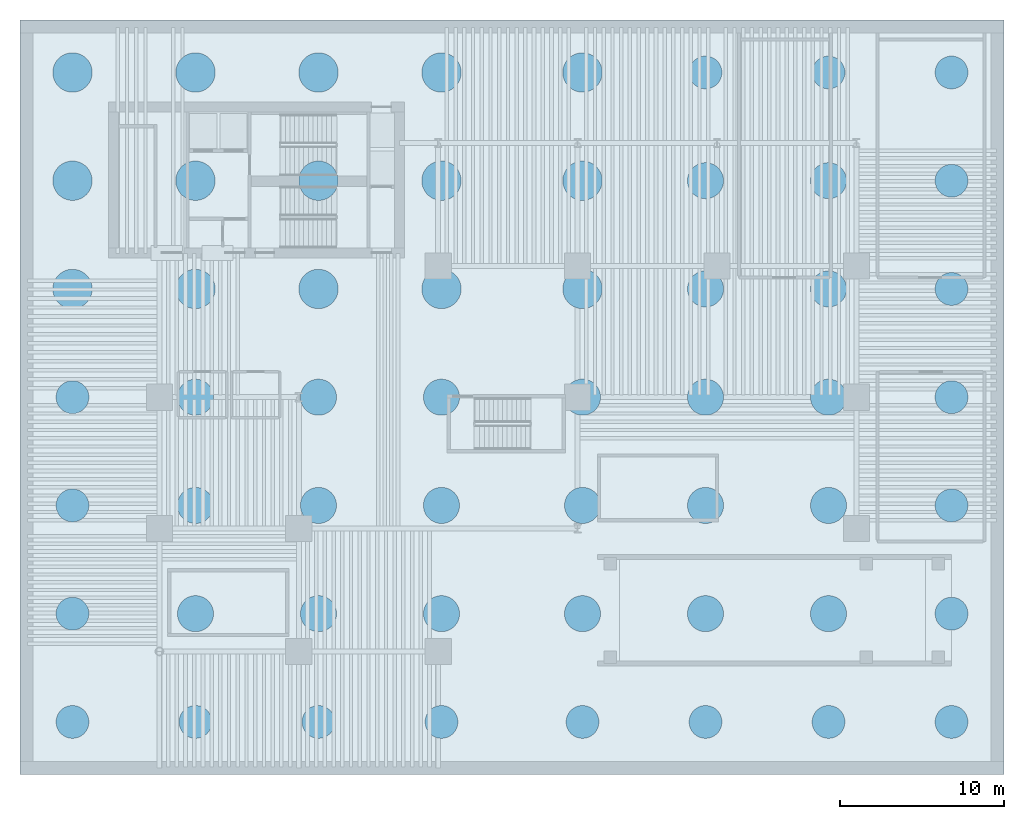
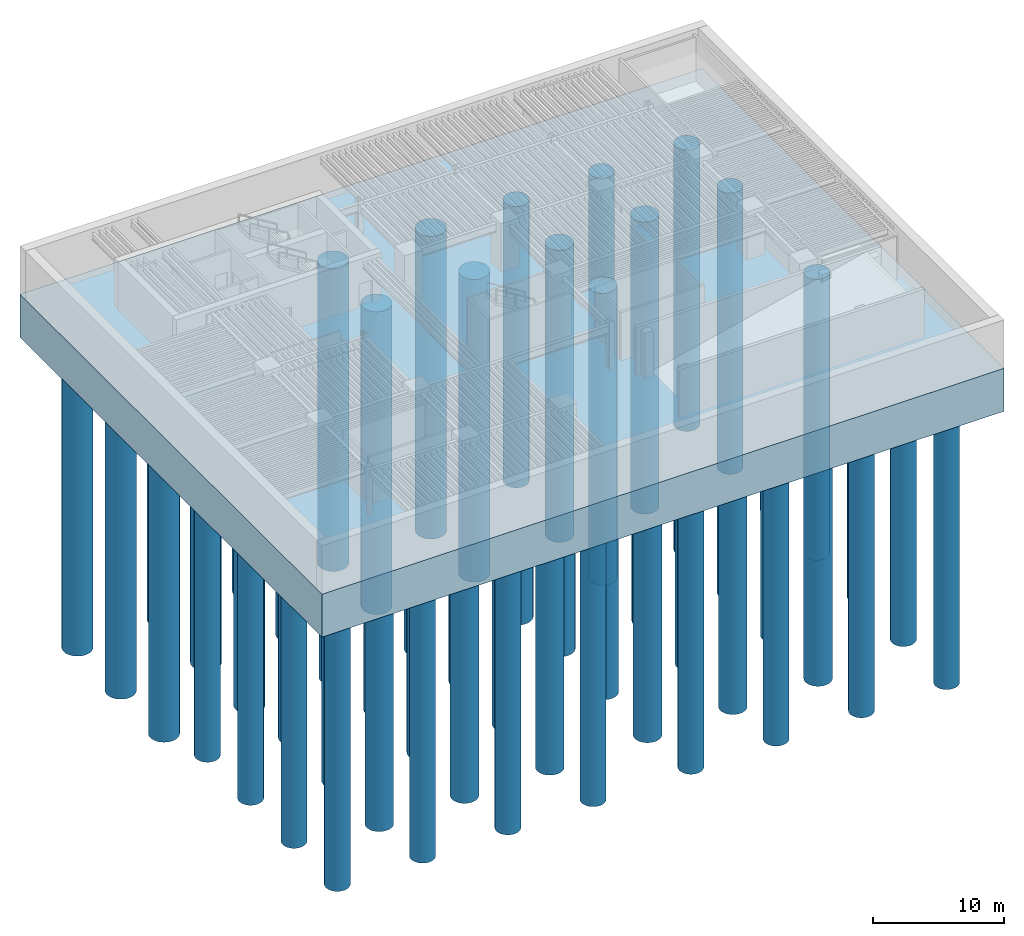
# One storey, part 1 of 11: 56 piles, 1 footing.
"""IFC4 building model written with IfcOpenShell, lengths in metres."""

from ifc_helpers import new_model, si_unit, direction, frame, origin, origin_2d, place, context, subcontext, project, spatial, polyline, circle, outline, extrude, material, layer, layer_set, material_profile, profile_set, type_object, element, save


model = new_model("IFC4")

# Units and contexts
model_context = context("Model", 3, precision=1e-05, world=origin(), true_north=direction((0.0, 1.0)))
body_context = subcontext(model_context, "Body", "Model", "MODEL_VIEW")
ifc_project = project(units=[si_unit("LENGTHUNIT", "METRE"), si_unit("AREAUNIT", "SQUARE_METRE"), si_unit("VOLUMEUNIT", "CUBIC_METRE"), si_unit("PLANEANGLEUNIT", "RADIAN"), si_unit("MASSUNIT", "GRAM", prefix="KILO")], contexts=[model_context])

# Site, building, storey
site_placement = place(None, origin())
site = spatial("IfcSite", under=ifc_project, at=site_placement, CompositionType="ELEMENT")
building_placement = place(site_placement, origin())
building = spatial("IfcBuilding", under=site, at=building_placement, Name="Caeloran Harvest Quay", CompositionType="ELEMENT")
storey_placement = place(building_placement, frame((0.0, 0.0, -18.0)))
storey = spatial("IfcBuildingStorey", under=building, at=storey_placement, Name="B04", CompositionType="ELEMENT", Elevation=-18.0)

# Piles
ifc_material = material(Name="Concrete C60/75", Category="concrete")
ifc_material_profile_1 = material_profile(ifc_material, circle(Radius=1.199951171875, at=origin_2d()), Name="PILE D2400")
ifc_profile_set_1 = profile_set([ifc_material_profile_1], Name="Concrete C60/75")
pile_type_1 = type_object("IfcPileType", Name="PILE-P1-PILED2400", PredefinedType="BORED", material=ifc_profile_set_1)
for number, where, z_axis, x_axis, name in (
    (1, (3.199951171875, 29.60009765625, -3.85009765625), (0.0, 0.0, -1.0), (1.0, 0.0, 0.0), "Rock-Socketed Bored Pile PILE-33 (PILE D2400)"),
    (2, (10.699951171875, 29.60009765625, -3.85009765625), (0.0, 0.0, -1.0), (1.0, 0.0, 0.0), "Rock-Socketed Bored Pile PILE-34 (PILE D2400)"),
    (3, (18.199951171875, 29.60009765625, -3.85009765625), (0.0, 0.0, -1.0), (1.0, 0.0, 0.0), "Rock-Socketed Bored Pile PILE-35 (PILE D2400)"),
    (4, (25.699951171875, 29.60009765625, -3.85009765625), (0.0, 0.0, -1.0), (1.0, 0.0, 0.0), "Rock-Socketed Bored Pile PILE-36 (PILE D2400)"),
    (5, (34.300048828125, 29.60009765625, -3.85009765625), (0.0, 0.0, -1.0), (1.0, 0.0, 0.0), "Rock-Socketed Bored Pile PILE-37 (PILE D2400)"),
    (6, (3.199951171875, 36.199951171875, -3.85009765625), (0.0, 0.0, -1.0), (1.0, 0.0, 0.0), "Rock-Socketed Bored Pile PILE-41 (PILE D2400)"),
    (7, (10.699951171875, 36.199951171875, -3.85009765625), (0.0, 0.0, -1.0), (1.0, 0.0, 0.0), "Rock-Socketed Bored Pile PILE-42 (PILE D2400)"),
    (8, (18.199951171875, 36.199951171875, -3.85009765625), (0.0, 0.0, -1.0), (1.0, 0.0, 0.0), "Rock-Socketed Bored Pile PILE-43 (PILE D2400)"),
    (9, (25.699951171875, 36.199951171875, -3.85009765625), (0.0, 0.0, -1.0), (1.0, 0.0, 0.0), "Rock-Socketed Bored Pile PILE-44 (PILE D2400)"),
    (10, (34.300048828125, 36.199951171875, -3.85009765625), (0.0, 0.0, -1.0), (1.0, 0.0, 0.0), "Rock-Socketed Bored Pile PILE-45 (PILE D2400)"),
    (11, (3.199951171875, 42.800048828125, -3.85009765625), (0.0, 0.0, -1.0), (1.0, 0.0, 0.0), "Rock-Socketed Bored Pile PILE-49 (PILE D2400)"),
    (12, (10.699951171875, 42.800048828125, -3.85009765625), (0.0, 0.0, -1.0), (1.0, 0.0, 0.0), "Rock-Socketed Bored Pile PILE-50 (PILE D2400)"),
    (13, (18.199951171875, 42.800048828125, -3.85009765625), (0.0, 0.0, -1.0), (1.0, 0.0, 0.0), "Rock-Socketed Bored Pile PILE-51 (PILE D2400)"),
    (14, (25.699951171875, 42.800048828125, -3.85009765625), (0.0, 0.0, -1.0), (1.0, 0.0, 0.0), "Rock-Socketed Bored Pile PILE-52 (PILE D2400)"),
    (15, (34.300048828125, 42.800048828125, -3.85009765625), (0.0, 0.0, -1.0), (1.0, 0.0, 0.0), "Rock-Socketed Bored Pile PILE-53 (PILE D2400)"),
):
    element("IfcPile", number, at=place(storey_placement, frame(where, z_axis=z_axis, x_axis=x_axis)), inside=storey, type_object=pile_type_1, Name=name, PredefinedType="BORED", context=body_context, shape_type="SweptSolid", body=[
        extrude(circle(Radius=1.199951171875, at=origin_2d()), origin(), (0.0, 0.0, 1.0), 28.14990234375),
    ])
ifc_material_profile_2 = material_profile(ifc_material, circle(Radius=1.10009765625, at=origin_2d()), Name="PILE D2200")
ifc_profile_set_2 = profile_set([ifc_material_profile_2], Name="Concrete C60/75")
pile_type_2 = type_object("IfcPileType", Name="PILE-P2-PILED2200", PredefinedType="BORED", material=ifc_profile_set_2)
for number, where, z_axis, x_axis, name in (
    (16, (10.699951171875, 9.800048828125, -3.85009765625), (0.0, 0.0, -1.0), (1.0, 0.0, 0.0), "Rock-Socketed Bored Pile PILE-10 (PILE D2200)"),
    (17, (18.199951171875, 9.800048828125, -3.85009765625), (0.0, 0.0, -1.0), (1.0, 0.0, 0.0), "Rock-Socketed Bored Pile PILE-11 (PILE D2200)"),
    (18, (25.699951171875, 9.800048828125, -3.85009765625), (0.0, 0.0, -1.0), (1.0, 0.0, 0.0), "Rock-Socketed Bored Pile PILE-12 (PILE D2200)"),
    (19, (34.300048828125, 9.800048828125, -3.85009765625), (0.0, 0.0, -1.0), (1.0, 0.0, 0.0), "Rock-Socketed Bored Pile PILE-13 (PILE D2200)"),
    (20, (41.800048828125, 9.800048828125, -3.85009765625), (0.0, 0.0, -1.0), (1.0, 0.0, 0.0), "Rock-Socketed Bored Pile PILE-14 (PILE D2200)"),
    (21, (49.300048828125, 9.800048828125, -3.85009765625), (0.0, 0.0, -1.0), (1.0, 0.0, 0.0), "Rock-Socketed Bored Pile PILE-15 (PILE D2200)"),
    (22, (10.699951171875, 16.39990234375, -3.85009765625), (0.0, 0.0, -1.0), (1.0, 0.0, 0.0), "Rock-Socketed Bored Pile PILE-18 (PILE D2200)"),
    (23, (18.199951171875, 16.39990234375, -3.85009765625), (0.0, 0.0, -1.0), (1.0, 0.0, 0.0), "Rock-Socketed Bored Pile PILE-19 (PILE D2200)"),
    (24, (25.699951171875, 16.39990234375, -3.85009765625), (0.0, 0.0, -1.0), (1.0, 0.0, 0.0), "Rock-Socketed Bored Pile PILE-20 (PILE D2200)"),
    (25, (34.300048828125, 16.39990234375, -3.85009765625), (0.0, 0.0, -1.0), (1.0, 0.0, 0.0), "Rock-Socketed Bored Pile PILE-21 (PILE D2200)"),
    (26, (41.800048828125, 16.39990234375, -3.85009765625), (0.0, 0.0, -1.0), (1.0, 0.0, 0.0), "Rock-Socketed Bored Pile PILE-22 (PILE D2200)"),
    (27, (49.300048828125, 16.39990234375, -3.85009765625), (0.0, 0.0, -1.0), (1.0, 0.0, 0.0), "Rock-Socketed Bored Pile PILE-23 (PILE D2200)"),
    (28, (10.699951171875, 23.0, -3.85009765625), (0.0, 0.0, -1.0), (1.0, 0.0, 0.0), "Rock-Socketed Bored Pile PILE-26 (PILE D2200)"),
    (29, (18.199951171875, 23.0, -3.85009765625), (0.0, 0.0, -1.0), (1.0, 0.0, 0.0), "Rock-Socketed Bored Pile PILE-27 (PILE D2200)"),
    (30, (25.699951171875, 23.0, -3.85009765625), (0.0, 0.0, -1.0), (1.0, 0.0, 0.0), "Rock-Socketed Bored Pile PILE-28 (PILE D2200)"),
    (31, (34.300048828125, 23.0, -3.85009765625), (0.0, 0.0, -1.0), (1.0, 0.0, 0.0), "Rock-Socketed Bored Pile PILE-29 (PILE D2200)"),
    (32, (41.800048828125, 23.0, -3.85009765625), (0.0, 0.0, -1.0), (1.0, 0.0, 0.0), "Rock-Socketed Bored Pile PILE-30 (PILE D2200)"),
    (33, (49.300048828125, 23.0, -3.85009765625), (0.0, 0.0, -1.0), (1.0, 0.0, 0.0), "Rock-Socketed Bored Pile PILE-31 (PILE D2200)"),
    (34, (41.800048828125, 29.60009765625, -3.85009765625), (0.0, 0.0, -1.0), (1.0, 0.0, 0.0), "Rock-Socketed Bored Pile PILE-38 (PILE D2200)"),
    (35, (49.300048828125, 29.60009765625, -3.85009765625), (0.0, 0.0, -1.0), (1.0, 0.0, 0.0), "Rock-Socketed Bored Pile PILE-39 (PILE D2200)"),
    (36, (41.800048828125, 36.199951171875, -3.85009765625), (0.0, 0.0, -1.0), (1.0, 0.0, 0.0), "Rock-Socketed Bored Pile PILE-46 (PILE D2200)"),
    (37, (49.300048828125, 36.199951171875, -3.85009765625), (0.0, 0.0, -1.0), (1.0, 0.0, 0.0), "Rock-Socketed Bored Pile PILE-47 (PILE D2200)"),
):
    element("IfcPile", number, at=place(storey_placement, frame(where, z_axis=z_axis, x_axis=x_axis)), inside=storey, type_object=pile_type_2, Name=name, PredefinedType="BORED", context=body_context, shape_type="SweptSolid", body=[
        extrude(circle(Radius=1.10009765625, at=origin_2d()), origin(), (0.0, 0.0, 1.0), 27.14990234375),
    ])
ifc_material_profile_3 = material_profile(ifc_material, circle(Radius=1.0, at=origin_2d()), Name="PILE D2000")
ifc_profile_set_3 = profile_set([ifc_material_profile_3], Name="Concrete C60/75")
pile_type_3 = type_object("IfcPileType", Name="PILE-P3-PILED2000", PredefinedType="BORED", material=ifc_profile_set_3)
for number, where, z_axis, x_axis, name in (
    (38, (3.199951171875, 3.199951171875, -3.85009765625), (0.0, 0.0, -1.0), (1.0, 0.0, 0.0), "Rock-Socketed Bored Pile PILE-01 (PILE D2000)"),
    (39, (10.699951171875, 3.199951171875, -3.85009765625), (0.0, 0.0, -1.0), (1.0, 0.0, 0.0), "Rock-Socketed Bored Pile PILE-02 (PILE D2000)"),
    (40, (18.199951171875, 3.199951171875, -3.85009765625), (0.0, 0.0, -1.0), (1.0, 0.0, 0.0), "Rock-Socketed Bored Pile PILE-03 (PILE D2000)"),
    (41, (25.699951171875, 3.199951171875, -3.85009765625), (0.0, 0.0, -1.0), (1.0, 0.0, 0.0), "Rock-Socketed Bored Pile PILE-04 (PILE D2000)"),
    (42, (34.300048828125, 3.199951171875, -3.85009765625), (0.0, 0.0, -1.0), (1.0, 0.0, 0.0), "Rock-Socketed Bored Pile PILE-05 (PILE D2000)"),
    (43, (41.800048828125, 3.199951171875, -3.85009765625), (0.0, 0.0, -1.0), (1.0, 0.0, 0.0), "Rock-Socketed Bored Pile PILE-06 (PILE D2000)"),
    (44, (49.300048828125, 3.199951171875, -3.85009765625), (0.0, 0.0, -1.0), (1.0, 0.0, 0.0), "Rock-Socketed Bored Pile PILE-07 (PILE D2000)"),
    (45, (56.800048828125, 3.199951171875, -3.85009765625), (0.0, 0.0, -1.0), (1.0, 0.0, 0.0), "Rock-Socketed Bored Pile PILE-08 (PILE D2000)"),
    (46, (3.199951171875, 9.800048828125, -3.85009765625), (0.0, 0.0, -1.0), (1.0, 0.0, 0.0), "Rock-Socketed Bored Pile PILE-09 (PILE D2000)"),
    (47, (56.800048828125, 9.800048828125, -3.85009765625), (0.0, 0.0, -1.0), (1.0, 0.0, 0.0), "Rock-Socketed Bored Pile PILE-16 (PILE D2000)"),
    (48, (3.199951171875, 16.39990234375, -3.85009765625), (0.0, 0.0, -1.0), (1.0, 0.0, 0.0), "Rock-Socketed Bored Pile PILE-17 (PILE D2000)"),
    (49, (56.800048828125, 16.39990234375, -3.85009765625), (0.0, 0.0, -1.0), (1.0, 0.0, 0.0), "Rock-Socketed Bored Pile PILE-24 (PILE D2000)"),
    (50, (3.199951171875, 23.0, -3.85009765625), (0.0, 0.0, -1.0), (1.0, 0.0, 0.0), "Rock-Socketed Bored Pile PILE-25 (PILE D2000)"),
    (51, (56.800048828125, 23.0, -3.85009765625), (0.0, 0.0, -1.0), (1.0, 0.0, 0.0), "Rock-Socketed Bored Pile PILE-32 (PILE D2000)"),
    (52, (56.800048828125, 29.60009765625, -3.85009765625), (0.0, 0.0, -1.0), (1.0, 0.0, 0.0), "Rock-Socketed Bored Pile PILE-40 (PILE D2000)"),
    (53, (56.800048828125, 36.199951171875, -3.85009765625), (0.0, 0.0, -1.0), (1.0, 0.0, 0.0), "Rock-Socketed Bored Pile PILE-48 (PILE D2000)"),
    (54, (41.800048828125, 42.800048828125, -3.85009765625), (0.0, 0.0, -1.0), (1.0, 0.0, 0.0), "Rock-Socketed Bored Pile PILE-54 (PILE D2000)"),
    (55, (49.300048828125, 42.800048828125, -3.85009765625), (0.0, 0.0, -1.0), (1.0, 0.0, 0.0), "Rock-Socketed Bored Pile PILE-55 (PILE D2000)"),
    (56, (56.800048828125, 42.800048828125, -3.85009765625), (0.0, 0.0, -1.0), (1.0, 0.0, 0.0), "Rock-Socketed Bored Pile PILE-56 (PILE D2000)"),
):
    element("IfcPile", number, at=place(storey_placement, frame(where, z_axis=z_axis, x_axis=x_axis)), inside=storey, type_object=pile_type_3, Name=name, PredefinedType="BORED", context=body_context, shape_type="SweptSolid", body=[
        extrude(circle(Radius=1.0, at=origin_2d()), origin(), (0.0, 0.0, 1.0), 26.14990234375),
    ])

# Footing
ifc_layer = layer(ifc_material, 4.0, Name="Concrete C60/75")
ifc_layer_set = layer_set([ifc_layer], Name="Concrete C60/75")
footing_type = type_object("IfcFootingType", Name="RAFT-RF1-4000", PredefinedType="CAISSON_FOUNDATION", material=ifc_layer_set)
footing_placement = place(storey_placement, frame((0.0, 0.0, -4.0)))
element("IfcFooting", 57, at=footing_placement, inside=storey, type_object=footing_type, Name="Piled Raft Foundation RF-1 4000 mm", PredefinedType="CAISSON_FOUNDATION", context=body_context, shape_type="SweptSolid", body=[
    extrude(outline(polyline([(0.0, 0.0), (60.0, 0.0), (60.0, 46.0), (0.0, 46.0), (0.0, 0.0)])), origin(), (0.0, 0.0, 1.0), 4.0),
])

save(model, "model.ifc")
